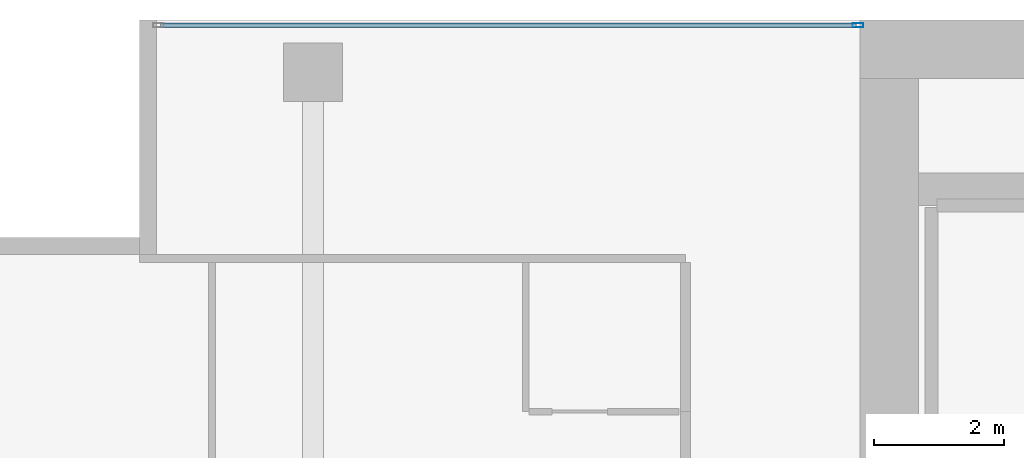
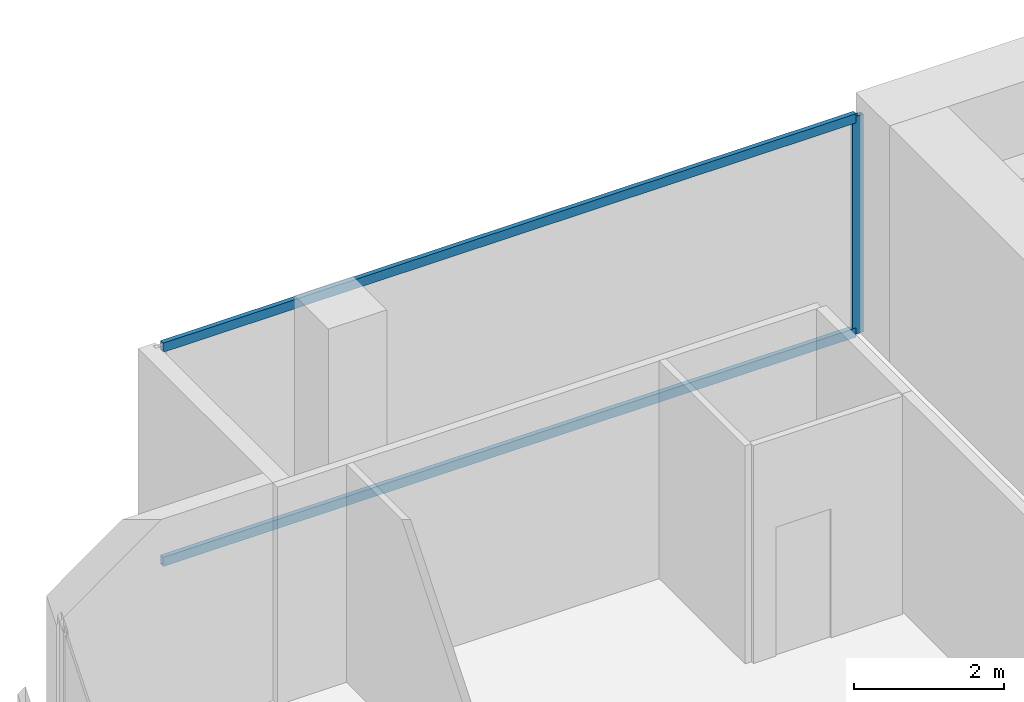
# One storey, part 26 of 39: 3 members, 1 element without a shape of its own.
"""IFC4 building model written with IfcOpenShell, lengths in metres."""

from ifc_helpers import new_model, si_unit, direction, frame, origin, origin_2d, place, context, subcontext, project, spatial, hollow_rectangle, extrude, material, layer, layer_set, material_profile, profile_set, type_object, element, aggregate, save


model = new_model("IFC4")

# Units and contexts
model_context = context("Model", 3, precision=1e-05, world=origin(), true_north=direction((0.0, 1.0)))
body_context = subcontext(model_context, "Body", "Model", "MODEL_VIEW")
ifc_project = project(units=[si_unit("LENGTHUNIT", "METRE"), si_unit("AREAUNIT", "SQUARE_METRE"), si_unit("VOLUMEUNIT", "CUBIC_METRE"), si_unit("PLANEANGLEUNIT", "RADIAN"), si_unit("MASSUNIT", "GRAM", prefix="KILO")], contexts=[model_context])

# Site, building, storey
site_placement = place(None, origin())
site = spatial("IfcSite", under=ifc_project, at=site_placement, CompositionType="ELEMENT")
building_placement = place(site_placement, origin())
building = spatial("IfcBuilding", under=site, at=building_placement, Name="Maruvema Waterfront Hotel and Observation Tower", CompositionType="ELEMENT")
storey_placement = place(building_placement, frame((0.0, 0.0, 111.64990234375)))
storey = spatial("IfcBuildingStorey", under=building, at=storey_placement, Name="L27", CompositionType="ELEMENT", Elevation=111.64990234375)

# Curtain wall, members
ifc_material_1 = material(Name="Anodised bronze aluminium and solar-control low-E IGU", Category="aluminium")
ifc_layer = layer(ifc_material_1, 0.159912109375, Name="Zone 1 Bronze Inner Thermal Curtain Wall System CW-02")
ifc_layer_set = layer_set([ifc_layer], Name="Anodised bronze aluminium and solar-control low-E IGU")
curtain_wall_type = type_object("IfcCurtainWallType", Name="Zone 1 Bronze Inner Thermal Curtain Wall System CW-02", PredefinedType="USERDEFINED", material=ifc_layer_set)
curtain_wall_placement = place(storey_placement, origin())
curtain_wall = element("IfcCurtainWall", 1, at=curtain_wall_placement, inside=storey, type_object=curtain_wall_type, Name="L27 Curtain Wall CW-L27-NW", ObjectType="UNITISED CURTAIN WALL", PredefinedType="USERDEFINED")
ifc_material_2 = material(Name="Anodised architectural bronze aluminium", Category="aluminium")
ifc_material_profile_1 = material_profile(ifc_material_2, hollow_rectangle(XDim=0.070068359375, YDim=0.14990234375, WallThickness=0.00390625, at=origin_2d()), Name="ALU-T70x150")
ifc_profile_set_1 = profile_set([ifc_material_profile_1], Name="Anodised architectural bronze aluminium")
member_type_1 = type_object("IfcMemberType", Name="Curtain Wall Horizontal Transom ALU-T70x150", PredefinedType="USERDEFINED", material=ifc_profile_set_1)
member_1_placement = place(storey_placement, frame((25.139892578125, 53.919921875, 0.030029296875), z_axis=(-1.0, 0.0, 0.0), x_axis=(0.0, -1.0, 0.0)))
member_1 = element("IfcMember", 2, at=member_1_placement, type_object=member_type_1, Name="CW-02 transom 1.1", ObjectType="TRANSOM", PredefinedType="USERDEFINED", context=body_context, shape_type="SweptSolid", body=[
    extrude(hollow_rectangle(XDim=0.070068359375, YDim=0.14990234375, WallThickness=0.00390625, at=origin_2d()), origin(), (0.0, 0.0, 1.0), 10.679931640625),
])
member_2_placement = place(storey_placement, frame((25.139892578125, 53.919921875, 3.52001953125), z_axis=(-1.0, 0.0, 0.0), x_axis=(0.0, -1.0, 0.0)))
member_2 = element("IfcMember", 3, at=member_2_placement, type_object=member_type_1, Name="CW-02 transom 1.2", ObjectType="TRANSOM", PredefinedType="USERDEFINED", context=body_context, shape_type="SweptSolid", body=[
    extrude(hollow_rectangle(XDim=0.070068359375, YDim=0.14990234375, WallThickness=0.00390625, at=origin_2d()), origin(), (0.0, 0.0, 1.0), 10.679931640625),
])
ifc_material_3 = material(Name="Anodised architectural bronze aluminium", Category="aluminium")
ifc_material_profile_2 = material_profile(ifc_material_3, hollow_rectangle(XDim=0.06494140625, YDim=0.1650390625, WallThickness=0.00390625, at=origin_2d()), Name="ALU-M65x165")
ifc_profile_set_2 = profile_set([ifc_material_profile_2], Name="Anodised architectural bronze aluminium")
member_type_2 = type_object("IfcMemberType", Name="Curtain Wall Primary Mullion ALU-M65x165", PredefinedType="MULLION", material=ifc_profile_set_2)
member_3_placement = place(storey_placement, frame((25.169921875, 53.919921875, 0.0), z_axis=(0.0, 0.0, 1.0), x_axis=(0.0, -1.0, 0.0)))
member_3 = element("IfcMember", 4, at=member_3_placement, type_object=member_type_2, Name="CW-02 mullion 1", PredefinedType="MULLION", context=body_context, shape_type="SweptSolid", body=[
    extrude(hollow_rectangle(XDim=0.06494140625, YDim=0.1650390625, WallThickness=0.00390625, at=origin_2d()), origin(), (0.0, 0.0, 1.0), 3.550048828125),
])
aggregate(curtain_wall, [member_3, member_1, member_2])

save(model, "model.ifc")
